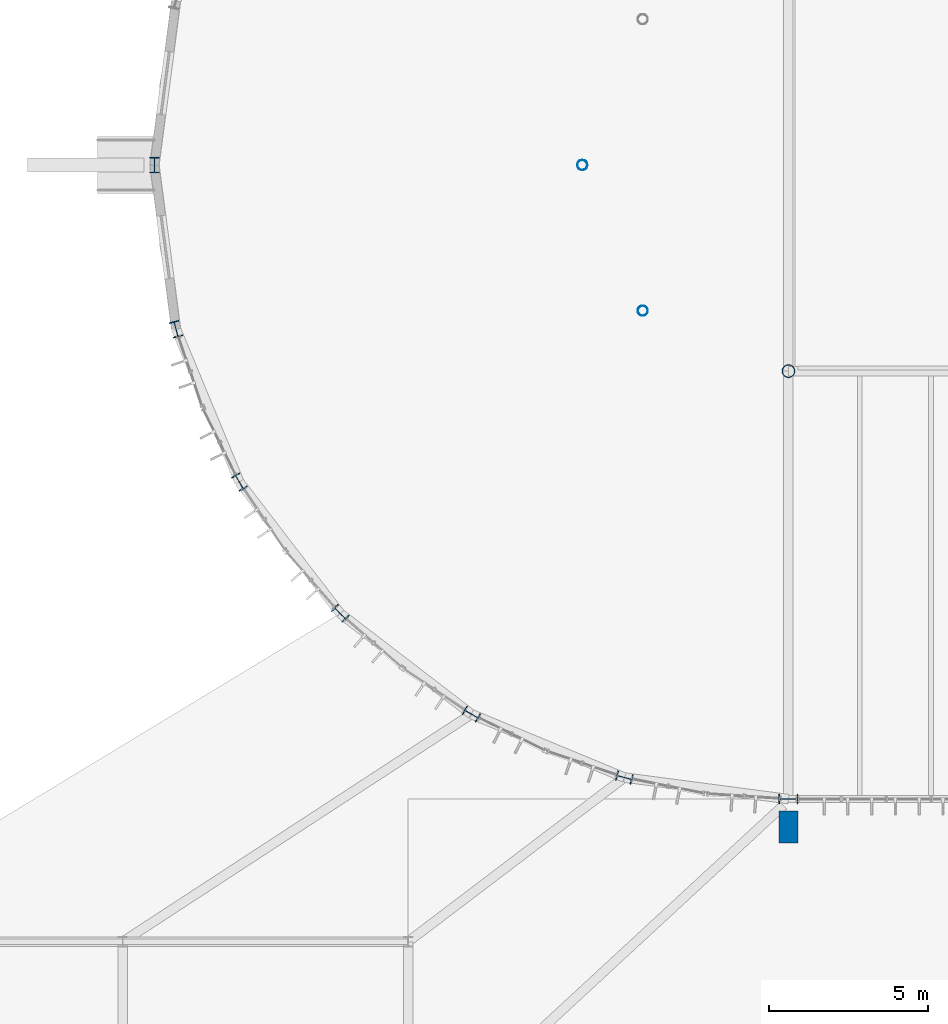
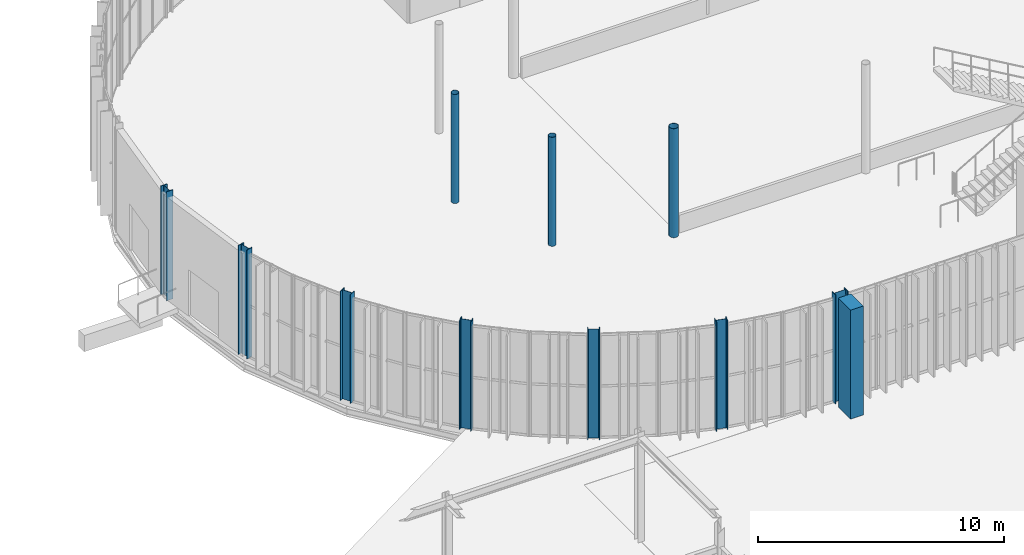
# One storey, part 2 of 158: 11 columns.
"""IFC4 building model written with IfcOpenShell, lengths in metres."""

import ifcopenshell
import ifcopenshell.guid

model = None  # the IFC model being written
_history = None  # IfcOwnerHistory: only IFC2X3 demands one
_inside = {}  # id of a spatial element -> (the spatial element, [elements in it])
_under = {}  # id of a project, library or spatial element -> (it, [spatial elements below it])
_declared = {}  # id of a project -> (the project, [libraries it declares])
_typed = {}  # id of a type object -> (the type object, [elements of that type])
_made_of = {}  # id of a material, layer set ... -> (it, [elements and type objects made of it])


def new_model(schema):
    """Start an empty IFC model of exactly this schema.

    Asked for "IFC4X3", IfcOpenShell would pick the latest addendum, in which some entities
    have other attributes; the version numbers below select the first issue.
    IFC2X3 requires an IfcOwnerHistory on every rooted entity: one is made here for all.
    """
    global model, _history
    if schema == "IFC4X3":
        model = ifcopenshell.file(schema_version=(4, 3, 0, 0))
    else:
        model = ifcopenshell.file(schema=schema)
    _inside.clear()
    _under.clear()
    _declared.clear()
    _typed.clear()
    _made_of.clear()
    _history = None
    if model.schema == "IFC2X3":
        org = make("IfcOrganization", Name="unknown")
        user = make(
            "IfcPersonAndOrganization",
            ThePerson=make("IfcPerson", FamilyName="unknown"),
            TheOrganization=org,
        )
        app = make(
            "IfcApplication",
            ApplicationDeveloper=org,
            Version="unknown",
            ApplicationFullName="unknown",
            ApplicationIdentifier="unknown",
        )
        _history = make(
            "IfcOwnerHistory",
            OwningUser=user,
            OwningApplication=app,
            ChangeAction="ADDED",
            CreationDate=0,
        )
    return model


def make(cls, **values):
    """One entity of the class cls with the attributes given. An attribute that is None is left unset."""
    return model.create_entity(
        cls, **{name: value for name, value in values.items() if value is not None}
    )


def rooted(cls, **values):
    """An entity with a GlobalId (a new one), such as an element, a storey or a relation."""
    return make(cls, GlobalId=ifcopenshell.guid.new(), OwnerHistory=_history, **values)


def si_unit(unit_type, name, prefix=None):
    """IfcSIUnit, for example si_unit("LENGTHUNIT", "METRE", prefix="MILLI")."""
    return make("IfcSIUnit", UnitType=unit_type, Prefix=prefix, Name=name)


def derived_unit(unit_type, elements):
    """IfcDerivedUnit: a product of units, each with its exponent."""
    return make(
        "IfcDerivedUnit",
        Elements=[
            make("IfcDerivedUnitElement", Unit=unit, Exponent=power)
            for unit, power in elements
        ],
        UnitType=unit_type,
    )


def assignment(units):
    """IfcUnitAssignment: the units of a project."""
    return None if units is None else make("IfcUnitAssignment", Units=units)


def point(xyz):
    """IfcCartesianPoint."""
    return None if xyz is None else make("IfcCartesianPoint", Coordinates=xyz)


def direction(xyz):
    """IfcDirection."""
    return None if xyz is None else make("IfcDirection", DirectionRatios=xyz)


def frame(location, z_axis=None, x_axis=None):
    """IfcAxis2Placement3D, a coordinate frame: its origin and axes. An axis left out is left unset."""
    return make(
        "IfcAxis2Placement3D",
        Location=point(location),
        Axis=direction(z_axis),
        RefDirection=direction(x_axis),
    )


def frame_2d(location, x_axis=None):
    """IfcAxis2Placement2D, a coordinate frame in the plane: its origin and x axis."""
    return make(
        "IfcAxis2Placement2D", Location=point(location), RefDirection=direction(x_axis)
    )


def origin():
    """The frame at (0, 0, 0) with its axes left unset."""
    return frame((0.0, 0.0, 0.0))


def origin_2d():
    """The frame at (0, 0) in the plane with its x axis left unset."""
    return frame_2d((0.0, 0.0))


def place(relative_to, where):
    """IfcLocalPlacement: puts the frame where relative to a parent placement (None: the world)."""
    return make(
        "IfcLocalPlacement", PlacementRelTo=relative_to, RelativePlacement=where
    )


def context(
    kind, dimensions, precision=None, world=None, true_north=None, identifier=None
):
    """IfcGeometricRepresentationContext, for example the 3D "Model" context."""
    return make(
        "IfcGeometricRepresentationContext",
        ContextIdentifier=identifier,
        ContextType=kind,
        CoordinateSpaceDimension=dimensions,
        Precision=precision,
        WorldCoordinateSystem=world,
        TrueNorth=true_north,
    )


def subcontext(parent, identifier, kind, view, scale=None):
    """IfcGeometricRepresentationSubContext, for example "Body" below "Model"."""
    return make(
        "IfcGeometricRepresentationSubContext",
        ContextIdentifier=identifier,
        ContextType=kind,
        ParentContext=parent,
        TargetScale=scale,
        TargetView=view,
    )


def project(units=None, contexts=None):
    """IfcProject with its units and contexts."""
    return rooted(
        "IfcProject",
        Name="project",
        RepresentationContexts=contexts,
        UnitsInContext=assignment(units),
    )


def spatial(cls, under=None, at=None, **own):
    """A site, building, storey or space (cls), placed at a placement, below another one or the project."""
    s = rooted(cls, ObjectPlacement=at, **own)
    if under is not None:
        _under.setdefault(under.id(), (under, []))[1].append(s)
    return s


def profile(cls, at=None, kind="AREA", **sizes):
    """A parametric profile (cls). Its sizes go by their IFC names, for example OverallWidth=200.0."""
    return make(cls, ProfileType=kind, Position=at, **sizes)


def rectangle(**sizes):
    """IfcRectangleProfileDef."""
    return profile("IfcRectangleProfileDef", **sizes)


def hollow_circle(**sizes):
    """IfcCircleHollowProfileDef."""
    return profile("IfcCircleHollowProfileDef", **sizes)


def i_section(**sizes):
    """IfcIShapeProfileDef."""
    return profile("IfcIShapeProfileDef", **sizes)


def extrude(swept, where, along, depth):
    """IfcExtrudedAreaSolid: the profile swept, set in the frame where, extruded along a direction by depth."""
    return make(
        "IfcExtrudedAreaSolid",
        SweptArea=swept,
        Position=where,
        ExtrudedDirection=direction(along),
        Depth=depth,
    )


def shape(context_of_items, identifier, shape_type, items):
    """IfcShapeRepresentation: the items that make up one representation, for example the "Body"."""
    return make(
        "IfcShapeRepresentation",
        ContextOfItems=context_of_items,
        RepresentationIdentifier=identifier,
        RepresentationType=shape_type,
        Items=items,
    )


def material(Name=None, Category=None):
    """IfcMaterial."""
    return make("IfcMaterial", Name=Name, Category=Category)


def material_profile(
    of_material, cross_section, Name=None, Category=None, Priority=None
):
    """IfcMaterialProfile: a cross section and its material."""
    return make(
        "IfcMaterialProfile",
        Name=Name,
        Material=of_material,
        Profile=cross_section,
        Priority=Priority,
        Category=Category,
    )


def profile_set(profiles, Name=None, composite=None):
    """IfcMaterialProfileSet."""
    return make(
        "IfcMaterialProfileSet",
        Name=Name,
        MaterialProfiles=profiles,
        CompositeProfile=composite,
    )


def made_of(thing, what):
    """Note that an element or type object is made of a material, layer set ...; save() writes the relation."""
    if what is not None:
        _made_of.setdefault(what.id(), (what, []))[1].append(thing)
    return thing


def type_object(cls, material=None, **own):
    """A type object (cls), such as IfcWallType, which elements share."""
    return made_of(rooted(cls, **own), material)


def element(
    cls,
    number,
    at=None,
    inside=None,
    cuts=None,
    type_object=None,
    material=None,
    context=None,
    identifier="Body",
    shape_type=None,
    held_by="IfcProductDefinitionShape",
    body=None,
    shapes=None,
    **own,
):
    """One element of the class cls, such as IfcWall. Its Tag is "e" and its number.

    at: its placement. inside: the storey or other place that contains it. cuts: it is an
    opening in that element (IfcRelVoidsElement). A single representation is given by context,
    identifier, shape_type and body (its items); several are given by shapes. held_by: the class
    of the entity that holds the representations. save() writes the other relations.
    """
    e = rooted(cls, Tag="e%d" % number, ObjectPlacement=at, **own)
    if body is not None:
        shapes = [shape(context, identifier, shape_type, body)]
    if shapes is not None:
        e.Representation = make(held_by, Representations=shapes)
    if inside is not None:
        _inside.setdefault(inside.id(), (inside, []))[1].append(e)
    if cuts is not None:
        rooted(
            "IfcRelVoidsElement", RelatingBuildingElement=cuts, RelatedOpeningElement=e
        )
    if type_object is not None:
        _typed.setdefault(type_object.id(), (type_object, []))[1].append(e)
    return made_of(e, material)


def aggregate(whole, parts):
    """IfcRelAggregates: a whole, such as a stair, and the parts it consists of."""
    return rooted("IfcRelAggregates", RelatingObject=whole, RelatedObjects=parts)


def save(model, path):
    """Write the relations noted so far, then the file.

    IfcRelAggregates (storeys below a building ...), IfcRelContainedInSpatialStructure (elements
    in a storey), IfcRelDefinesByType, IfcRelAssociatesMaterial and IfcRelDeclares: one each for
    every whole, place, type object, material and project.
    """
    for whole, parts in _under.values():
        aggregate(whole, parts)
    for where, things in _inside.values():
        rooted(
            "IfcRelContainedInSpatialStructure",
            RelatedElements=things,
            RelatingStructure=where,
        )
    for kind, things in _typed.values():
        rooted("IfcRelDefinesByType", RelatedObjects=things, RelatingType=kind)
    for what, things in _made_of.values():
        rooted("IfcRelAssociatesMaterial", RelatedObjects=things, RelatingMaterial=what)
    for by, libraries in _declared.values():
        rooted("IfcRelDeclares", RelatingContext=by, RelatedDefinitions=libraries)
    model.write(path)


model = new_model("IFC4")

# Units and contexts
model_context = context("Model", 3, precision=1e-05, world=origin(), true_north=direction((0.0, 1.0)))
body_context = subcontext(model_context, "Body", "Model", "MODEL_VIEW")
ifc_project = project(units=[si_unit("LENGTHUNIT", "METRE"), si_unit("AREAUNIT", "SQUARE_METRE"), si_unit("VOLUMEUNIT", "CUBIC_METRE"), si_unit("PLANEANGLEUNIT", "RADIAN"), si_unit("MASSUNIT", "GRAM", prefix="KILO"), si_unit("THERMODYNAMICTEMPERATUREUNIT", "KELVIN"), si_unit("TIMEUNIT", "SECOND"), derived_unit("THERMALTRANSMITTANCEUNIT", [(si_unit("MASSUNIT", "GRAM", prefix="KILO"), 1), (si_unit("THERMODYNAMICTEMPERATUREUNIT", "KELVIN"), -1), (si_unit("TIMEUNIT", "SECOND"), -3)])], contexts=[model_context])

# Site, building, storey
site_placement = place(None, origin())
site = spatial("IfcSite", under=ifc_project, at=site_placement, CompositionType="ELEMENT")
building_placement = place(site_placement, origin())
building = spatial("IfcBuilding", under=site, at=building_placement, Name="Cambertide Market Hall", CompositionType="ELEMENT")
storey_placement = place(building_placement, origin())
storey = spatial("IfcBuildingStorey", under=building, at=storey_placement, Name="L01", CompositionType="ELEMENT", Elevation=0.0)

# Columns
ifc_material_1 = material(Name="Concrete B35", Category="concrete")
ifc_material_profile_1 = material_profile(ifc_material_1, rectangle(XDim=0.60009765625, YDim=1.0, at=origin_2d()), Name="RC 600x1000")
ifc_profile_set_1 = profile_set([ifc_material_profile_1], Name="Concrete B35")
column_type_1 = type_object("IfcColumnType", Name="Exterior Concrete Buttress Pilaster RC 600x1000", PredefinedType="PILASTER", material=ifc_profile_set_1)
column_1_placement = place(storey_placement, frame((42.0, 51.1201171875, 0.0), z_axis=(0.0, 0.0, 1.0), x_axis=(1.0, 0.0, 0.0)))
element("IfcColumn", 1, at=column_1_placement, inside=storey, type_object=column_type_1, Name="Level 1 Pilaster PIL-V1-S1-L01", PredefinedType="PILASTER", context=body_context, shape_type="SweptSolid", body=[
    extrude(rectangle(XDim=0.60009765625, YDim=1.0, at=origin_2d()), origin(), (0.0, 0.0, 1.0), 5.39990234375),
])
ifc_material_2 = material(Name="Steel S355", Category="steel")
ifc_material_profile_2 = material_profile(ifc_material_2, i_section(OverallWidth=0.300048828125, OverallDepth=0.5, WebThickness=0.014404296875, FlangeThickness=0.028076171875, FilletRadius=0.027099609375, at=origin_2d()), Name="HEB 500")
ifc_profile_set_2 = profile_set([ifc_material_profile_2], Name="Steel S355")
column_type_2 = type_object("IfcColumnType", Name="Exterior Steel Column HEB 500", PredefinedType="COLUMN", material=ifc_profile_set_2)
for number, where, z_axis, x_axis, name in (
    (2, (22.0, 72.0, 0.0), (0.0, 0.0, 1.0), (-1.0, 0.0, 0.0), "Level 1 Column COL-V1-AW12-L01"),
    (3, (22.681396484375, 66.82373046875, 0.0), (0.0, 0.0, 1.0), (-0.965925826289, -0.258819045103, 0.0), "Level 1 Column COL-V1-AW14-L01"),
    (4, (24.679443359375, 62.0, 0.0), (0.0, 0.0, 1.0), (-0.866025403784, -0.5, 0.0), "Level 1 Column COL-V1-AW16-L01"),
    (5, (27.85791015625, 57.85791015625, 0.0), (0.0, 0.0, 1.0), (-0.707106781187, -0.707106781187, 0.0), "Level 1 Column COL-V1-AW18-L01"),
    (6, (32.0, 54.679443359375, 0.0), (0.0, 0.0, 1.0), (-0.5, -0.866025403784, 0.0), "Level 1 Column COL-V1-AW20-L01"),
    (7, (36.82373046875, 52.681396484375, 0.0), (0.0, 0.0, 1.0), (-0.258819045103, -0.965925826289, 0.0), "Level 1 Column COL-V1-AW22-L01"),
):
    element("IfcColumn", number, at=place(storey_placement, frame(where, z_axis=z_axis, x_axis=x_axis)), inside=storey, type_object=column_type_2, Name=name, PredefinedType="COLUMN", context=body_context, shape_type="SweptSolid", body=[
        extrude(i_section(OverallWidth=0.300048828125, OverallDepth=0.5, WebThickness=0.014404296875, FlangeThickness=0.028076171875, FilletRadius=0.027099609375, at=origin_2d()), origin(), (0.0, 0.0, 1.0), 5.39990234375),
    ])
ifc_material_3 = material(Name="Steel S355", Category="steel")
ifc_material_profile_3 = material_profile(ifc_material_3, i_section(OverallWidth=0.300048828125, OverallDepth=0.60009765625, WebThickness=0.015380859375, FlangeThickness=0.030029296875, FilletRadius=0.027099609375, at=origin_2d()), Name="HEB 600")
ifc_profile_set_3 = profile_set([ifc_material_profile_3], Name="Steel S355")
column_type_3 = type_object("IfcColumnType", Name="Exterior Steel Column HEB 600", PredefinedType="COLUMN", material=ifc_profile_set_3)
column_2_placement = place(storey_placement, frame((42.0, 52.0, 0.0), z_axis=(0.0, 0.0, 1.0), x_axis=(0.0, 1.0, 0.0)))
element("IfcColumn", 8, at=column_2_placement, inside=storey, type_object=column_type_3, Name="Level 1 Column COL-V1-S1-L01", PredefinedType="COLUMN", context=body_context, shape_type="SweptSolid", body=[
    extrude(i_section(OverallWidth=0.300048828125, OverallDepth=0.60009765625, WebThickness=0.015380859375, FlangeThickness=0.030029296875, FilletRadius=0.027099609375, at=origin_2d()), origin(), (0.0, 0.0, 1.0), 5.39990234375),
])
ifc_material_4 = material(Name="Steel S355", Category="steel")
ifc_material_profile_4 = material_profile(ifc_material_4, hollow_circle(Radius=0.161865234375, WallThickness=0.010009765625, at=origin_2d()), Name="CHS 323.9x10")
ifc_profile_set_4 = profile_set([ifc_material_profile_4], Name="Steel S355")
column_type_4 = type_object("IfcColumnType", Name="Steel Column CHS 323.9x10", PredefinedType="COLUMN", material=ifc_profile_set_4)
for number, where, z_axis, x_axis, name in (
    (9, (35.5, 72.0, 0.0), (0.0, 0.0, 1.0), (1.0, 0.0, 0.0), "Level 1 Column COL-V1-MW12-L01"),
    (10, (37.40380859375, 67.40380859375, 0.0), (0.0, 0.0, 1.0), (1.0, 0.0, 0.0), "Level 1 Column COL-V1-MW18-L01"),
):
    element("IfcColumn", number, at=place(storey_placement, frame(where, z_axis=z_axis, x_axis=x_axis)), inside=storey, type_object=column_type_4, Name=name, PredefinedType="COLUMN", context=body_context, shape_type="SweptSolid", body=[
        extrude(hollow_circle(Radius=0.161865234375, WallThickness=0.010009765625, at=origin_2d()), origin(), (0.0, 0.0, 1.0), 5.39990234375),
    ])
ifc_material_5 = material(Name="Steel S355", Category="steel")
ifc_material_profile_5 = material_profile(ifc_material_5, hollow_circle(Radius=0.203125, WallThickness=0.01416015625, at=origin_2d()), Name="CHS 406.4x14.2")
ifc_profile_set_5 = profile_set([ifc_material_profile_5], Name="Steel S355")
column_type_5 = type_object("IfcColumnType", Name="Steel Column CHS 406.4x14.2", PredefinedType="COLUMN", material=ifc_profile_set_5)
column_3_placement = place(storey_placement, frame((42.0, 65.5, 0.0), z_axis=(0.0, 0.0, 1.0), x_axis=(1.0, 0.0, 0.0)))
element("IfcColumn", 11, at=column_3_placement, inside=storey, type_object=column_type_5, Name="Level 1 Column COL-V1-MS1-L01", PredefinedType="COLUMN", context=body_context, shape_type="SweptSolid", body=[
    extrude(hollow_circle(Radius=0.203125, WallThickness=0.01416015625, at=origin_2d()), origin(), (0.0, 0.0, 1.0), 5.39990234375),
])

save(model, "model.ifc")
